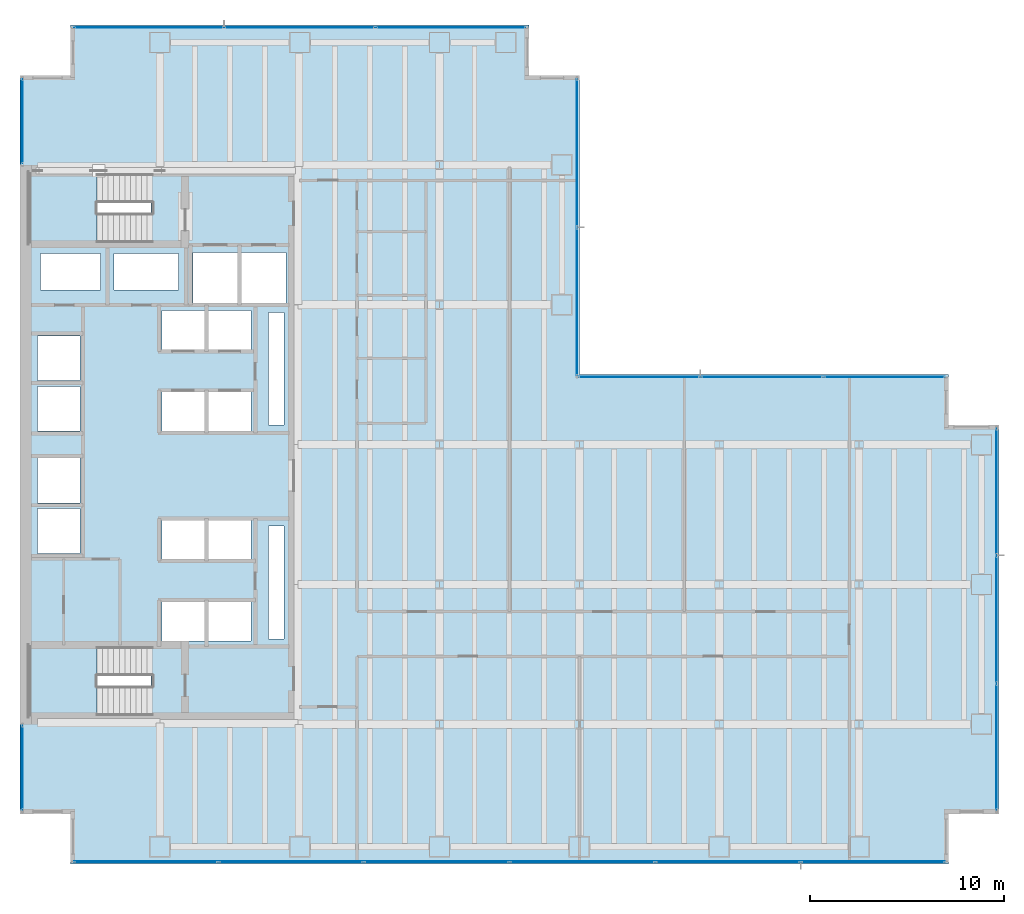
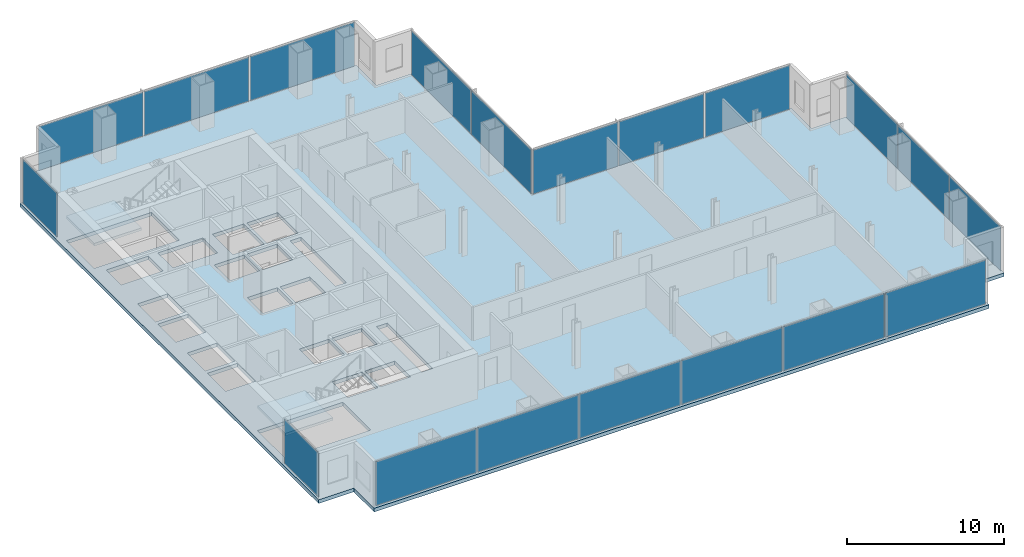
# One storey, part 19 of 25: 19 plates, 3 slabs, 20 openings, 9 elements without a shape of their own.
"""IFC4 building model written with IfcOpenShell, lengths in metres."""

from ifc_helpers import new_model, si_unit, direction, frame, origin, origin_2d, place, context, subcontext, project, spatial, polyline, rectangle, outline, extrude, material, layer, layer_set, type_object, element, aggregate, save


model = new_model("IFC4")

# Units and contexts
model_context = context("Model", 3, precision=1e-05, world=origin(), true_north=direction((0.0, 1.0)))
body_context = subcontext(model_context, "Body", "Model", "MODEL_VIEW")
ifc_project = project(units=[si_unit("LENGTHUNIT", "METRE"), si_unit("AREAUNIT", "SQUARE_METRE"), si_unit("VOLUMEUNIT", "CUBIC_METRE"), si_unit("PLANEANGLEUNIT", "RADIAN"), si_unit("MASSUNIT", "GRAM", prefix="KILO")], contexts=[model_context])

# Site, building, storey
site_placement = place(None, origin())
site = spatial("IfcSite", under=ifc_project, at=site_placement, CompositionType="ELEMENT")
building_placement = place(site_placement, origin())
building = spatial("IfcBuilding", under=site, at=building_placement, Name="Cobrela Telecom Tower", CompositionType="ELEMENT")
storey_placement = place(building_placement, frame((0.0, 0.0, 35.0)))
storey = spatial("IfcBuildingStorey", under=building, at=storey_placement, Name="L08", CompositionType="ELEMENT", Elevation=35.0)

# Curtain wall, plate
ifc_material_1 = material(Name="Anodized Bronze Aluminium 6063-T6", Category="aluminium")
curtain_wall_type = type_object("IfcCurtainWallType", Name="CW-SYS-DATA", PredefinedType="USERDEFINED", material=ifc_material_1)
curtain_wall_1_placement = place(storey_placement, origin())
curtain_wall_1 = element("IfcCurtainWall", 1, at=curtain_wall_1_placement, inside=storey, type_object=curtain_wall_type, Name="L08 Unitised Bronze Curtain Wall 03", ObjectType="UNITISED CURTAIN WALL", PredefinedType="USERDEFINED")
ifc_material_2 = material(Name="Solar-Control Bronze Low-E Glass", Category="glass")
ifc_layer_1 = layer(ifc_material_2, 0.0380859375)
ifc_layer_set_1 = layer_set([ifc_layer_1], Name="Solar-Control Bronze Low-E Glass")
plate_type = type_object("IfcPlateType", Name="CW-SYS-DATA-PNL", PredefinedType="CURTAIN_PANEL", material=ifc_layer_set_1)
plate_1_placement = place(storey_placement, frame((0.1201171875, 4.955078125, 0.074951171875), z_axis=(0.0, 0.0, 1.0), x_axis=(0.0, 1.0, 0.0)))
plate_1 = element("IfcPlate", 2, at=plate_1_placement, type_object=plate_type, Name="CW-DATA panel 1.1", PredefinedType="CURTAIN_PANEL", context=body_context, shape_type="SweptSolid", body=[
    extrude(rectangle(XDim=4.330078125, YDim=0.0380859375, at=origin_2d()), origin(), (0.0, 0.0, 1.0), 3.419921875),
])
aggregate(curtain_wall_1, [plate_1])

curtain_wall_2_placement = place(storey_placement, origin())
curtain_wall_2 = element("IfcCurtainWall", 3, at=curtain_wall_2_placement, inside=storey, type_object=curtain_wall_type, Name="L08 Unitised Bronze Curtain Wall 04", ObjectType="UNITISED CURTAIN WALL", PredefinedType="USERDEFINED")
plate_2_placement = place(storey_placement, frame((0.1201171875, 38.2451171875, 0.074951171875), z_axis=(0.0, 0.0, 1.0), x_axis=(0.0, 1.0, 0.0)))
plate_2 = element("IfcPlate", 4, at=plate_2_placement, type_object=plate_type, Name="CW-DATA panel 1.1", PredefinedType="CURTAIN_PANEL", context=body_context, shape_type="SweptSolid", body=[
    extrude(rectangle(XDim=4.330078125, YDim=0.0380859375, at=origin_2d()), origin(), (0.0, 0.0, 1.0), 3.419921875),
])
aggregate(curtain_wall_2, [plate_2])

# Curtain wall, plates
curtain_wall_3_placement = place(storey_placement, origin())
curtain_wall_3 = element("IfcCurtainWall", 5, at=curtain_wall_3_placement, inside=storey, type_object=curtain_wall_type, Name="L08 Unitised Bronze Curtain Wall 07", ObjectType="UNITISED CURTAIN WALL", PredefinedType="USERDEFINED")
plate_3_placement = place(storey_placement, frame((6.626708984375, 43.080078125, 0.074951171875), z_axis=(0.0, 0.0, 1.0), x_axis=(1.0, 0.0, 0.0)))
plate_3 = element("IfcPlate", 6, at=plate_3_placement, type_object=plate_type, Name="CW-DATA panel 1.1", PredefinedType="CURTAIN_PANEL", context=body_context, shape_type="SweptSolid", body=[
    extrude(rectangle(XDim=7.67333984375, YDim=0.0380859375, at=origin_2d()), origin(), (0.0, 0.0, 1.0), 3.419921875),
])
plate_4_placement = place(storey_placement, frame((14.39990234375, 43.080078125, 0.074951171875), z_axis=(0.0, 0.0, 1.0), x_axis=(1.0, 0.0, 0.0)))
plate_4 = element("IfcPlate", 7, at=plate_4_placement, type_object=plate_type, Name="CW-DATA panel 2.1", PredefinedType="CURTAIN_PANEL", context=body_context, shape_type="SweptSolid", body=[
    extrude(rectangle(XDim=7.71337890625, YDim=0.0380859375, at=origin_2d()), origin(), (0.0, 0.0, 1.0), 3.419921875),
])
plate_5_placement = place(storey_placement, frame((22.17333984375, 43.080078125, 0.074951171875), z_axis=(0.0, 0.0, 1.0), x_axis=(1.0, 0.0, 0.0)))
plate_5 = element("IfcPlate", 8, at=plate_5_placement, type_object=plate_type, Name="CW-DATA panel 3.1", PredefinedType="CURTAIN_PANEL", context=body_context, shape_type="SweptSolid", body=[
    extrude(rectangle(XDim=7.67333984375, YDim=0.0380859375, at=origin_2d()), origin(), (0.0, 0.0, 1.0), 3.419921875),
])
aggregate(curtain_wall_3, [plate_3, plate_4, plate_5])

curtain_wall_4_placement = place(storey_placement, origin())
curtain_wall_4 = element("IfcCurtainWall", 9, at=curtain_wall_4_placement, inside=storey, type_object=curtain_wall_type, Name="L08 Unitised Bronze Curtain Wall 10", ObjectType="UNITISED CURTAIN WALL", PredefinedType="USERDEFINED")
plate_6_placement = place(storey_placement, frame((28.679931640625, 36.617431640625, 0.074951171875), z_axis=(0.0, 0.0, 1.0), x_axis=(0.0, -1.0, 0.0)))
plate_6 = element("IfcPlate", 10, at=plate_6_placement, type_object=plate_type, Name="CW-DATA panel 1.1", PredefinedType="CURTAIN_PANEL", context=body_context, shape_type="SweptSolid", body=[
    extrude(rectangle(XDim=7.5849609375, YDim=0.0380859375, at=origin_2d()), origin(), (0.0, 0.0, 1.0), 3.419921875),
])
plate_7_placement = place(storey_placement, frame((28.679931640625, 28.952392578125, 0.074951171875), z_axis=(0.0, 0.0, 1.0), x_axis=(0.0, -1.0, 0.0)))
plate_7 = element("IfcPlate", 11, at=plate_7_placement, type_object=plate_type, Name="CW-DATA panel 2.1", PredefinedType="CURTAIN_PANEL", context=body_context, shape_type="SweptSolid", body=[
    extrude(rectangle(XDim=7.5849609375, YDim=0.0380859375, at=origin_2d()), origin(), (0.0, 0.0, 1.0), 3.419921875),
])
aggregate(curtain_wall_4, [plate_6, plate_7])

curtain_wall_5_placement = place(storey_placement, origin())
curtain_wall_5 = element("IfcCurtainWall", 12, at=curtain_wall_5_placement, inside=storey, type_object=curtain_wall_type, Name="L08 Unitised Bronze Curtain Wall 11", ObjectType="UNITISED CURTAIN WALL", PredefinedType="USERDEFINED")
plate_8_placement = place(storey_placement, frame((31.868408203125, 25.080078125, 0.074951171875), z_axis=(0.0, 0.0, 1.0), x_axis=(1.0, 0.0, 0.0)))
plate_8 = element("IfcPlate", 13, at=plate_8_placement, type_object=plate_type, Name="CW-DATA panel 1.1", PredefinedType="CURTAIN_PANEL", context=body_context, shape_type="SweptSolid", body=[
    extrude(rectangle(XDim=6.216552734375, YDim=0.0380859375, at=origin_2d()), origin(), (0.0, 0.0, 1.0), 3.419921875),
])
plate_9_placement = place(storey_placement, frame((38.18505859375, 25.080078125, 0.074951171875), z_axis=(0.0, 0.0, 1.0), x_axis=(1.0, 0.0, 0.0)))
plate_9 = element("IfcPlate", 14, at=plate_9_placement, type_object=plate_type, Name="CW-DATA panel 2.1", PredefinedType="CURTAIN_PANEL", context=body_context, shape_type="SweptSolid", body=[
    extrude(rectangle(XDim=6.256591796875, YDim=0.0380859375, at=origin_2d()), origin(), (0.0, 0.0, 1.0), 3.419921875),
])
plate_10_placement = place(storey_placement, frame((44.501708984375, 25.080078125, 0.074951171875), z_axis=(0.0, 0.0, 1.0), x_axis=(1.0, 0.0, 0.0)))
plate_10 = element("IfcPlate", 15, at=plate_10_placement, type_object=plate_type, Name="CW-DATA panel 3.1", PredefinedType="CURTAIN_PANEL", context=body_context, shape_type="SweptSolid", body=[
    extrude(rectangle(XDim=6.216552734375, YDim=0.0380859375, at=origin_2d()), origin(), (0.0, 0.0, 1.0), 3.419921875),
])
aggregate(curtain_wall_5, [plate_8, plate_9, plate_10])

curtain_wall_6_placement = place(storey_placement, origin())
curtain_wall_6 = element("IfcCurtainWall", 16, at=curtain_wall_6_placement, inside=storey, type_object=curtain_wall_type, Name="L08 Unitised Bronze Curtain Wall 14", ObjectType="UNITISED CURTAIN WALL", PredefinedType="USERDEFINED")
plate_11_placement = place(storey_placement, frame((50.280029296875, 19.17333984375, 0.074951171875), z_axis=(0.0, 0.0, 1.0), x_axis=(0.0, -1.0, 0.0)))
plate_11 = element("IfcPlate", 17, at=plate_11_placement, type_object=plate_type, Name="CW-DATA panel 1.1", PredefinedType="CURTAIN_PANEL", context=body_context, shape_type="SweptSolid", body=[
    extrude(rectangle(XDim=6.473388671875, YDim=0.0380859375, at=origin_2d()), origin(), (0.0, 0.0, 1.0), 3.419921875),
])
plate_12_placement = place(storey_placement, frame((50.280029296875, 12.60009765625, 0.074951171875), z_axis=(0.0, 0.0, 1.0), x_axis=(0.0, -1.0, 0.0)))
plate_12 = element("IfcPlate", 18, at=plate_12_placement, type_object=plate_type, Name="CW-DATA panel 2.1", PredefinedType="CURTAIN_PANEL", context=body_context, shape_type="SweptSolid", body=[
    extrude(rectangle(XDim=6.513427734375, YDim=0.0380859375, at=origin_2d()), origin(), (0.0, 0.0, 1.0), 3.419921875),
])
plate_13_placement = place(storey_placement, frame((50.280029296875, 6.026611328125, 0.074951171875), z_axis=(0.0, 0.0, 1.0), x_axis=(0.0, -1.0, 0.0)))
plate_13 = element("IfcPlate", 19, at=plate_13_placement, type_object=plate_type, Name="CW-DATA panel 3.1", PredefinedType="CURTAIN_PANEL", context=body_context, shape_type="SweptSolid", body=[
    extrude(rectangle(XDim=6.473388671875, YDim=0.0380859375, at=origin_2d()), origin(), (0.0, 0.0, 1.0), 3.419921875),
])
aggregate(curtain_wall_6, [plate_11, plate_12, plate_13])

curtain_wall_7_placement = place(storey_placement, origin())
curtain_wall_7 = element("IfcCurtainWall", 20, at=curtain_wall_7_placement, inside=storey, type_object=curtain_wall_type, Name="L08 Unitised Bronze Curtain Wall 17", ObjectType="UNITISED CURTAIN WALL", PredefinedType="USERDEFINED")
plate_14_placement = place(storey_placement, frame((43.921630859375, 0.1201171875, 0.074951171875), z_axis=(0.0, 0.0, 1.0), x_axis=(-1.0, 0.0, 0.0)))
plate_14 = element("IfcPlate", 21, at=plate_14_placement, type_object=plate_type, Name="CW-DATA panel 1.1", PredefinedType="CURTAIN_PANEL", context=body_context, shape_type="SweptSolid", body=[
    extrude(rectangle(XDim=7.376708984375, YDim=0.0380859375, at=origin_2d()), origin(), (0.0, 0.0, 1.0), 3.419921875),
])
plate_15_placement = place(storey_placement, frame((36.445068359375, 0.1201171875, 0.074951171875), z_axis=(0.0, 0.0, 1.0), x_axis=(-1.0, 0.0, 0.0)))
plate_15 = element("IfcPlate", 22, at=plate_15_placement, type_object=plate_type, Name="CW-DATA panel 2.1", PredefinedType="CURTAIN_PANEL", context=body_context, shape_type="SweptSolid", body=[
    extrude(rectangle(XDim=7.416748046875, YDim=0.0380859375, at=origin_2d()), origin(), (0.0, 0.0, 1.0), 3.419921875),
])
plate_16_placement = place(storey_placement, frame((28.9482421875, 0.1201171875, 0.074951171875), z_axis=(0.0, 0.0, 1.0), x_axis=(-1.0, 0.0, 0.0)))
plate_16 = element("IfcPlate", 23, at=plate_16_placement, type_object=plate_type, Name="CW-DATA panel 3.1", PredefinedType="CURTAIN_PANEL", context=body_context, shape_type="SweptSolid", body=[
    extrude(rectangle(XDim=7.416748046875, YDim=0.0380859375, at=origin_2d()), origin(), (0.0, 0.0, 1.0), 3.419921875),
])
plate_17_placement = place(storey_placement, frame((21.45166015625, 0.1201171875, 0.074951171875), z_axis=(0.0, 0.0, 1.0), x_axis=(-1.0, 0.0, 0.0)))
plate_17 = element("IfcPlate", 24, at=plate_17_placement, type_object=plate_type, Name="CW-DATA panel 4.1", PredefinedType="CURTAIN_PANEL", context=body_context, shape_type="SweptSolid", body=[
    extrude(rectangle(XDim=7.416748046875, YDim=0.0380859375, at=origin_2d()), origin(), (0.0, 0.0, 1.0), 3.419921875),
])
plate_18_placement = place(storey_placement, frame((13.955078125, 0.1201171875, 0.074951171875), z_axis=(0.0, 0.0, 1.0), x_axis=(-1.0, 0.0, 0.0)))
plate_18 = element("IfcPlate", 25, at=plate_18_placement, type_object=plate_type, Name="CW-DATA panel 5.1", PredefinedType="CURTAIN_PANEL", context=body_context, shape_type="SweptSolid", body=[
    extrude(rectangle(XDim=7.416748046875, YDim=0.0380859375, at=origin_2d()), origin(), (0.0, 0.0, 1.0), 3.419921875),
])
plate_19_placement = place(storey_placement, frame((6.478271484375, 0.1201171875, 0.074951171875), z_axis=(0.0, 0.0, 1.0), x_axis=(-1.0, 0.0, 0.0)))
plate_19 = element("IfcPlate", 26, at=plate_19_placement, type_object=plate_type, Name="CW-DATA panel 6.1", PredefinedType="CURTAIN_PANEL", context=body_context, shape_type="SweptSolid", body=[
    extrude(rectangle(XDim=7.376708984375, YDim=0.0380859375, at=origin_2d()), origin(), (0.0, 0.0, 1.0), 3.419921875),
])
aggregate(curtain_wall_7, [plate_14, plate_15, plate_16, plate_17, plate_18, plate_19])

# Slab, openings
ifc_material_3 = material(Name="Concrete C40/50", Category="concrete")
ifc_layer_2 = layer(ifc_material_3, 0.280029296875)
ifc_layer_set_2 = layer_set([ifc_layer_2], Name="Concrete C40/50")
slab_type_1 = type_object("IfcSlabType", Name="SLAB-FLR-280", PredefinedType="FLOOR", material=ifc_layer_set_2)
slab_1_placement = place(storey_placement, frame((0.0, 0.0, -0.280029296875)))
slab_1 = element("IfcSlab", 27, at=slab_1_placement, inside=storey, type_object=slab_type_1, Name="L08 Structural Floor Slab", PredefinedType="FLOOR", context=body_context, shape_type="SweptSolid", body=[
    extrude(outline(polyline([(2.590087890625, 0.0), (47.81005859375, 0.0), (47.81005859375, 2.590087890625), (50.39990234375, 2.590087890625), (50.39990234375, 22.610107421875), (47.81005859375, 22.610107421875), (47.81005859375, 25.199951171875), (28.800048828125, 25.199951171875), (28.800048828125, 40.610107421875), (26.2099609375, 40.610107421875), (26.2099609375, 43.199951171875), (2.590087890625, 43.199951171875), (2.590087890625, 40.610107421875), (0.0, 40.610107421875), (0.0, 2.590087890625), (2.590087890625, 2.590087890625), (2.590087890625, 0.0)])), origin(), (0.0, 0.0, 1.0), 0.280029296875),
])
opening_1_placement = place(slab_1_placement, frame((0.0, 0.0, -0.02001953125)))
element("IfcOpeningElement", 28, at=opening_1_placement, cuts=slab_1, Name="Slab Shaft Opening SLAB-L08-MAIN.1", PredefinedType="OPENING", context=body_context, shape_type="SweptSolid", body=[
    extrude(outline(polyline([(8.89990234375, 28.89990234375), (11.199951171875, 28.89990234375), (11.199951171875, 31.5), (8.89990234375, 31.5), (8.89990234375, 28.89990234375)])), origin(), (0.0, 0.0, 1.0), 0.320068359375),
])
opening_2_placement = place(slab_1_placement, frame((0.0, 0.0, -0.02001953125)))
element("IfcOpeningElement", 29, at=opening_2_placement, cuts=slab_1, Name="Slab Shaft Opening SLAB-L08-MAIN.2", PredefinedType="OPENING", context=body_context, shape_type="SweptSolid", body=[
    extrude(outline(polyline([(11.39990234375, 28.89990234375), (13.699951171875, 28.89990234375), (13.699951171875, 31.5), (11.39990234375, 31.5), (11.39990234375, 28.89990234375)])), origin(), (0.0, 0.0, 1.0), 0.320068359375),
])
opening_3_placement = place(slab_1_placement, frame((0.0, 0.0, -0.02001953125)))
element("IfcOpeningElement", 30, at=opening_3_placement, cuts=slab_1, Name="Slab Shaft Opening SLAB-L08-MAIN.3", PredefinedType="OPENING", context=body_context, shape_type="SweptSolid", body=[
    extrude(outline(polyline([(7.300048828125, 22.300048828125), (9.5, 22.300048828125), (9.5, 24.300048828125), (7.300048828125, 24.300048828125), (7.300048828125, 22.300048828125)])), origin(), (0.0, 0.0, 1.0), 0.320068359375),
])
opening_4_placement = place(slab_1_placement, frame((0.0, 0.0, -0.02001953125)))
element("IfcOpeningElement", 31, at=opening_4_placement, cuts=slab_1, Name="Slab Shaft Opening SLAB-L08-MAIN.4", PredefinedType="OPENING", context=body_context, shape_type="SweptSolid", body=[
    extrude(outline(polyline([(9.699951171875, 22.300048828125), (11.89990234375, 22.300048828125), (11.89990234375, 24.300048828125), (9.699951171875, 24.300048828125), (9.699951171875, 22.300048828125)])), origin(), (0.0, 0.0, 1.0), 0.320068359375),
])
opening_5_placement = place(slab_1_placement, frame((0.0, 0.0, -0.02001953125)))
element("IfcOpeningElement", 32, at=opening_5_placement, cuts=slab_1, Name="Slab Shaft Opening SLAB-L08-MAIN.5", PredefinedType="OPENING", context=body_context, shape_type="SweptSolid", body=[
    extrude(outline(polyline([(7.300048828125, 26.5), (9.5, 26.5), (9.5, 28.5), (7.300048828125, 28.5), (7.300048828125, 26.5)])), origin(), (0.0, 0.0, 1.0), 0.320068359375),
])
opening_6_placement = place(slab_1_placement, frame((0.0, 0.0, -0.02001953125)))
element("IfcOpeningElement", 33, at=opening_6_placement, cuts=slab_1, Name="Slab Shaft Opening SLAB-L08-MAIN.6", PredefinedType="OPENING", context=body_context, shape_type="SweptSolid", body=[
    extrude(outline(polyline([(9.699951171875, 26.5), (11.89990234375, 26.5), (11.89990234375, 28.5), (9.699951171875, 28.5), (9.699951171875, 26.5)])), origin(), (0.0, 0.0, 1.0), 0.320068359375),
])
opening_7_placement = place(slab_1_placement, frame((0.0, 0.0, -0.02001953125)))
element("IfcOpeningElement", 34, at=opening_7_placement, cuts=slab_1, Name="Slab Shaft Opening SLAB-L08-MAIN.7", PredefinedType="OPENING", context=body_context, shape_type="SweptSolid", body=[
    extrude(outline(polyline([(7.300048828125, 15.699951171875), (9.5, 15.699951171875), (9.5, 17.699951171875), (7.300048828125, 17.699951171875), (7.300048828125, 15.699951171875)])), origin(), (0.0, 0.0, 1.0), 0.320068359375),
])
opening_8_placement = place(slab_1_placement, frame((0.0, 0.0, -0.02001953125)))
element("IfcOpeningElement", 35, at=opening_8_placement, cuts=slab_1, Name="Slab Shaft Opening SLAB-L08-MAIN.8", PredefinedType="OPENING", context=body_context, shape_type="SweptSolid", body=[
    extrude(outline(polyline([(9.699951171875, 15.699951171875), (11.89990234375, 15.699951171875), (11.89990234375, 17.699951171875), (9.699951171875, 17.699951171875), (9.699951171875, 15.699951171875)])), origin(), (0.0, 0.0, 1.0), 0.320068359375),
])
opening_9_placement = place(slab_1_placement, frame((0.0, 0.0, -0.02001953125)))
element("IfcOpeningElement", 36, at=opening_9_placement, cuts=slab_1, Name="Slab Shaft Opening SLAB-L08-MAIN.9", PredefinedType="OPENING", context=body_context, shape_type="SweptSolid", body=[
    extrude(outline(polyline([(7.300048828125, 11.5), (9.5, 11.5), (9.5, 13.5), (7.300048828125, 13.5), (7.300048828125, 11.5)])), origin(), (0.0, 0.0, 1.0), 0.320068359375),
])
opening_10_placement = place(slab_1_placement, frame((0.0, 0.0, -0.02001953125)))
element("IfcOpeningElement", 37, at=opening_10_placement, cuts=slab_1, Name="Slab Shaft Opening SLAB-L08-MAIN.10", PredefinedType="OPENING", context=body_context, shape_type="SweptSolid", body=[
    extrude(outline(polyline([(9.699951171875, 11.5), (11.89990234375, 11.5), (11.89990234375, 13.5), (9.699951171875, 13.5), (9.699951171875, 11.5)])), origin(), (0.0, 0.0, 1.0), 0.320068359375),
])
opening_11_placement = place(slab_1_placement, frame((0.0, 0.0, -0.02001953125)))
element("IfcOpeningElement", 38, at=opening_11_placement, cuts=slab_1, Name="Slab Shaft Opening SLAB-L08-MAIN.11", PredefinedType="OPENING", context=body_context, shape_type="SweptSolid", body=[
    extrude(outline(polyline([(0.89990234375, 16.0), (3.10009765625, 16.0), (3.10009765625, 18.300048828125), (0.89990234375, 18.300048828125), (0.89990234375, 16.0)])), origin(), (0.0, 0.0, 1.0), 0.320068359375),
])
opening_12_placement = place(slab_1_placement, frame((0.0, 0.0, -0.02001953125)))
element("IfcOpeningElement", 39, at=opening_12_placement, cuts=slab_1, Name="Slab Shaft Opening SLAB-L08-MAIN.12", PredefinedType="OPENING", context=body_context, shape_type="SweptSolid", body=[
    extrude(outline(polyline([(0.89990234375, 18.60009765625), (3.10009765625, 18.60009765625), (3.10009765625, 20.89990234375), (0.89990234375, 20.89990234375), (0.89990234375, 18.60009765625)])), origin(), (0.0, 0.0, 1.0), 0.320068359375),
])
opening_13_placement = place(slab_1_placement, frame((0.0, 0.0, -0.02001953125)))
element("IfcOpeningElement", 40, at=opening_13_placement, cuts=slab_1, Name="Slab Shaft Opening SLAB-L08-MAIN.13", PredefinedType="OPENING", context=body_context, shape_type="SweptSolid", body=[
    extrude(outline(polyline([(0.89990234375, 22.300048828125), (3.10009765625, 22.300048828125), (3.10009765625, 24.60009765625), (0.89990234375, 24.60009765625), (0.89990234375, 22.300048828125)])), origin(), (0.0, 0.0, 1.0), 0.320068359375),
])
opening_14_placement = place(slab_1_placement, frame((0.0, 0.0, -0.02001953125)))
element("IfcOpeningElement", 41, at=opening_14_placement, cuts=slab_1, Name="Slab Shaft Opening SLAB-L08-MAIN.14", PredefinedType="OPENING", context=body_context, shape_type="SweptSolid", body=[
    extrude(outline(polyline([(0.89990234375, 24.89990234375), (3.10009765625, 24.89990234375), (3.10009765625, 27.199951171875), (0.89990234375, 27.199951171875), (0.89990234375, 24.89990234375)])), origin(), (0.0, 0.0, 1.0), 0.320068359375),
])
opening_15_placement = place(slab_1_placement, frame((0.0, 0.0, -0.02001953125)))
element("IfcOpeningElement", 42, at=opening_15_placement, cuts=slab_1, Name="Slab Shaft Opening SLAB-L08-MAIN.15", PredefinedType="OPENING", context=body_context, shape_type="SweptSolid", body=[
    extrude(outline(polyline([(1.050048828125, 29.550048828125), (4.14990234375, 29.550048828125), (4.14990234375, 31.449951171875), (1.050048828125, 31.449951171875), (1.050048828125, 29.550048828125)])), origin(), (0.0, 0.0, 1.0), 0.320068359375),
])
opening_16_placement = place(slab_1_placement, frame((0.0, 0.0, -0.02001953125)))
element("IfcOpeningElement", 43, at=opening_16_placement, cuts=slab_1, Name="Slab Shaft Opening SLAB-L08-MAIN.16", PredefinedType="OPENING", context=body_context, shape_type="SweptSolid", body=[
    extrude(outline(polyline([(4.85009765625, 29.550048828125), (8.14990234375, 29.550048828125), (8.14990234375, 31.449951171875), (4.85009765625, 31.449951171875), (4.85009765625, 29.550048828125)])), origin(), (0.0, 0.0, 1.0), 0.320068359375),
])
opening_17_placement = place(slab_1_placement, frame((0.0, 0.0, -0.02001953125)))
element("IfcOpeningElement", 44, at=opening_17_placement, cuts=slab_1, Name="Slab Shaft Opening SLAB-L08-MAIN.17", PredefinedType="OPENING", context=body_context, shape_type="SweptSolid", body=[
    extrude(outline(polyline([(12.800048828125, 22.60009765625), (13.60009765625, 22.60009765625), (13.60009765625, 28.39990234375), (12.800048828125, 28.39990234375), (12.800048828125, 22.60009765625)])), origin(), (0.0, 0.0, 1.0), 0.320068359375),
])
opening_18_placement = place(slab_1_placement, frame((0.0, 0.0, -0.02001953125)))
element("IfcOpeningElement", 45, at=opening_18_placement, cuts=slab_1, Name="Slab Shaft Opening SLAB-L08-MAIN.18", PredefinedType="OPENING", context=body_context, shape_type="SweptSolid", body=[
    extrude(outline(polyline([(12.800048828125, 11.60009765625), (13.60009765625, 11.60009765625), (13.60009765625, 17.39990234375), (12.800048828125, 17.39990234375), (12.800048828125, 11.60009765625)])), origin(), (0.0, 0.0, 1.0), 0.320068359375),
])
opening_19_placement = place(slab_1_placement, frame((0.0, 0.0, -0.02001953125)))
element("IfcOpeningElement", 46, at=opening_19_placement, cuts=slab_1, Name="Slab Shaft Opening SLAB-L08-MAIN.19", PredefinedType="OPENING", context=body_context, shape_type="SweptSolid", body=[
    extrude(outline(polyline([(6.7548828125, 35.550048828125), (0.47998046875, 35.550048828125), (0.47998046875, 32.0), (6.7548828125, 32.0), (6.7548828125, 35.550048828125)])), origin(), (0.0, 0.0, 1.0), 0.320068359375),
])
opening_20_placement = place(slab_1_placement, frame((0.0, 0.0, -0.02001953125)))
element("IfcOpeningElement", 47, at=opening_20_placement, cuts=slab_1, Name="Slab Shaft Opening SLAB-L08-MAIN.20", PredefinedType="OPENING", context=body_context, shape_type="SweptSolid", body=[
    extrude(outline(polyline([(6.7548828125, 11.199951171875), (0.47998046875, 11.199951171875), (0.47998046875, 7.64990234375), (6.7548828125, 7.64990234375), (6.7548828125, 11.199951171875)])), origin(), (0.0, 0.0, 1.0), 0.320068359375),
])

# Stair, slab
stair_type = type_object("IfcStairType", Name="STAIR-CORE", PredefinedType="HALF_TURN_STAIR", material=ifc_material_3)
stair_1_placement = place(storey_placement, origin())
stair_1 = element("IfcStair", 48, at=stair_1_placement, inside=storey, type_object=stair_type, Name="L08 Smokeproof Exit Stair ST1", PredefinedType="HALF_TURN_STAIR")
ifc_layer_3 = layer(ifc_material_3, 0.199951171875)
ifc_layer_set_3 = layer_set([ifc_layer_3], Name="Concrete C40/50")
slab_type_2 = type_object("IfcSlabType", Name="SLAB-LAND-200", PredefinedType="LANDING", material=ifc_layer_set_3)
slab_2_placement = place(storey_placement, frame((0.0, 0.0, 1.72509765625)))
slab_2 = element("IfcSlab", 49, at=slab_2_placement, type_object=slab_type_2, Name="ST1 landing 1", PredefinedType="LANDING", context=body_context, shape_type="SweptSolid", body=[
    extrude(outline(polyline([(3.969970703125, 35.550048828125), (0.47998046875, 35.550048828125), (0.47998046875, 32.0), (3.969970703125, 32.0), (3.969970703125, 35.550048828125)])), origin(), (0.0, 0.0, 1.0), 0.199951171875),
])
aggregate(stair_1, [slab_2])

stair_2_placement = place(storey_placement, origin())
stair_2 = element("IfcStair", 50, at=stair_2_placement, inside=storey, type_object=stair_type, Name="L08 Smokeproof Exit Stair ST2", PredefinedType="HALF_TURN_STAIR")
slab_3_placement = place(storey_placement, frame((0.0, 0.0, 1.72509765625)))
slab_3 = element("IfcSlab", 51, at=slab_3_placement, type_object=slab_type_2, Name="ST2 landing 1", PredefinedType="LANDING", context=body_context, shape_type="SweptSolid", body=[
    extrude(outline(polyline([(3.969970703125, 11.199951171875), (0.47998046875, 11.199951171875), (0.47998046875, 7.64990234375), (3.969970703125, 7.64990234375), (3.969970703125, 11.199951171875)])), origin(), (0.0, 0.0, 1.0), 0.199951171875),
])
aggregate(stair_2, [slab_3])

save(model, "model.ifc")
